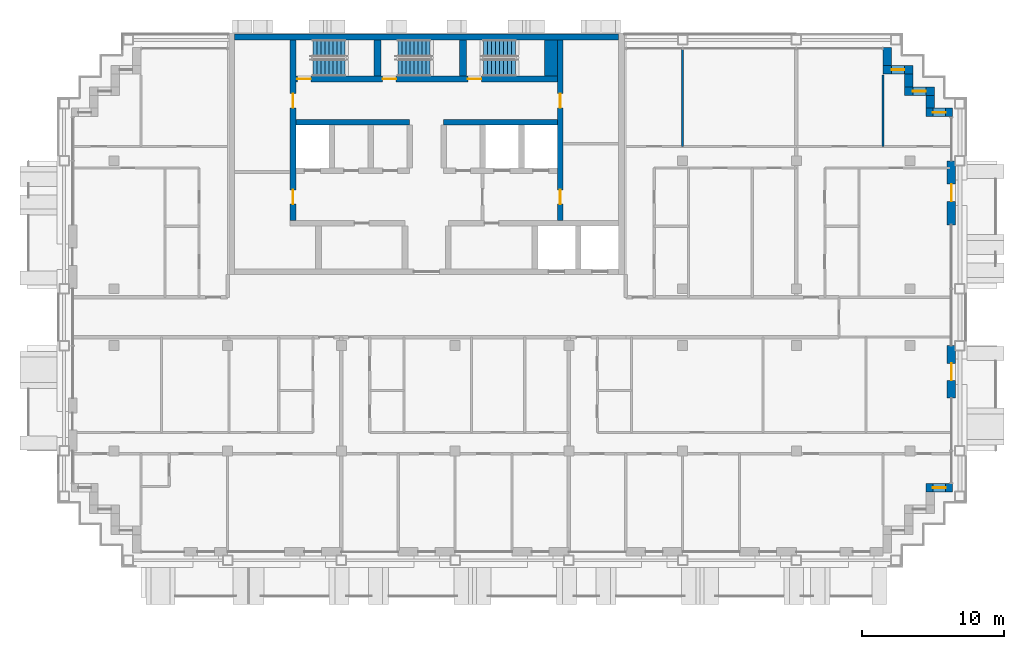
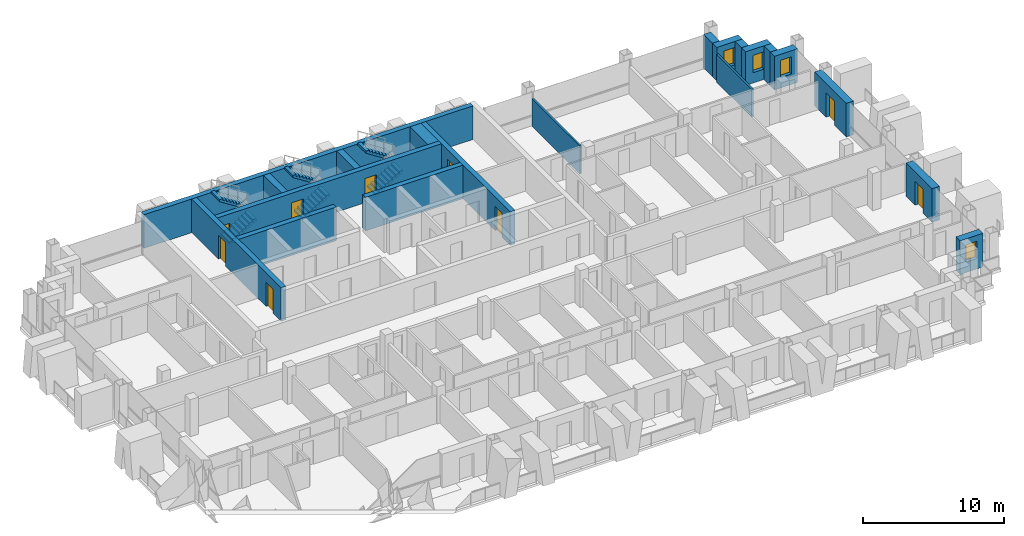
# One storey, part 12 of 16: 20 walls, 9 doors, 6 stair flights, 4 windows, 13 openings, 3 elements without a shape of their own.
"""IFC4 building model written with IfcOpenShell, lengths in metres."""

from ifc_helpers import new_model, si_unit, direction, frame, frame_2d, origin, place, context, subcontext, project, spatial, polyline, rectangle, outline, extrude, material, layer, layer_set, type_object, element, fill, aggregate, save


model = new_model("IFC4")

# Units and contexts
model_context = context("Model", 3, precision=1e-05, world=origin(), true_north=direction((0.0, 1.0)))
body_context = subcontext(model_context, "Body", "Model", "MODEL_VIEW")
ifc_project = project(units=[si_unit("LENGTHUNIT", "METRE"), si_unit("AREAUNIT", "SQUARE_METRE"), si_unit("VOLUMEUNIT", "CUBIC_METRE"), si_unit("PLANEANGLEUNIT", "RADIAN"), si_unit("MASSUNIT", "GRAM", prefix="KILO")], contexts=[model_context])

# Site, building, storey
site_placement = place(None, origin())
site = spatial("IfcSite", under=ifc_project, at=site_placement, CompositionType="ELEMENT")
building_placement = place(site_placement, origin())
building = spatial("IfcBuilding", under=site, at=building_placement, Name="Vidyagriha Tower", CompositionType="ELEMENT")
storey_placement = place(building_placement, frame((0.0, 0.0, 168.5)))
storey = spatial("IfcBuildingStorey", under=building, at=storey_placement, Name="L43", CompositionType="ELEMENT", Elevation=168.5)

# Wall, opening, window
ifc_material_1 = material(Name="Precast concrete C40/50 with brick facing", Category="concrete")
ifc_layer_1 = layer(ifc_material_1, 0.60009765625)
ifc_layer_set_1 = layer_set([ifc_layer_1], Name="Precast concrete C40/50 with brick facing")
wall_type_1 = type_object("IfcWallType", Name="Brick-faced precast wall 600", PredefinedType="STANDARD", material=ifc_layer_set_1)
wall_1_placement = place(storey_placement, frame((36.97998046875, 14.39990234375, 0.0), z_axis=(0.0, 0.0, 1.0), x_axis=(-1.0, 0.0, 0.0)))
wall_1 = element("IfcWall", 1, at=wall_1_placement, inside=storey, type_object=wall_type_1, Name="Stepped corner wall L43 R01", PredefinedType="STANDARD", context=body_context, shape_type="SweptSolid", body=[
    extrude(rectangle(XDim=1.8798828125, YDim=0.60009765625, at=frame_2d((0.93994140625, 0.0))), origin(), (0.0, 0.0, 1.0), 2.919921875),
])
opening_1_placement = place(wall_1_placement, frame((0.489990234375, 0.0, 0.89990234375)))
opening_1 = element("IfcOpeningElement", 2, at=opening_1_placement, cuts=wall_1, Name="Opening WN1", PredefinedType="OPENING", context=body_context, shape_type="SweptSolid", body=[
    extrude(rectangle(XDim=0.89990234375, YDim=1.5, at=frame_2d((0.449951171875, 0.75))), frame((0.0, 0.31005859375, 0.0), z_axis=(0.0, -1.0, 0.0), x_axis=(1.0, 0.0, 0.0)), (0.0, 0.0, 1.0), 0.6201171875),
])
ifc_material_2 = material(Name="Aluminium and glass window", Category="aluminium")
window_type = type_object("IfcWindowType", Name="Reveal window 900x1500", PartitioningType="NOTDEFINED", PredefinedType="WINDOW", material=ifc_material_2)
window_1_placement = place(opening_1_placement, origin())
window_1 = element("IfcWindow", 3, at=window_1_placement, inside=storey, type_object=window_type, Name="Reveal window L43 R01", OverallHeight=1.5, OverallWidth=0.89990234375, PartitioningType="SINGLE_PANEL", PredefinedType="WINDOW", context=body_context, shape_type="SweptSolid", body=[
    extrude(rectangle(XDim=0.89990234375, YDim=1.5, at=frame_2d((0.449951171875, 0.75))), frame((0.0, 0.030029296875, 0.0), z_axis=(0.0, -1.0, 0.0), x_axis=(1.0, 0.0, 0.0)), (0.0, 0.0, 1.0), 0.06005859375),
])
fill(opening_1, window_1)

# Wall
wall_2_placement = place(storey_placement, frame((35.39990234375, 14.699951171875, 0.0), z_axis=(0.0, 0.0, 1.0), x_axis=(0.0, 1.0, 0.0)))
element("IfcWall", 4, at=wall_2_placement, inside=storey, type_object=wall_type_1, Name="Stepped corner wall L43 R02", PredefinedType="STANDARD", context=body_context, shape_type="SweptSolid", body=[
    extrude(rectangle(XDim=0.900146484375, YDim=0.60009765625, at=frame_2d((0.4501953125, 0.0))), origin(), (0.0, 0.0, 1.0), 2.919921875),
])

# Wall, opening, window
wall_3_placement = place(storey_placement, frame((35.699951171875, 15.89990234375, 0.0), z_axis=(0.0, 0.0, 1.0), x_axis=(-1.0, 0.0, 0.0)))
wall_3 = element("IfcWall", 5, at=wall_3_placement, inside=storey, type_object=wall_type_1, Name="Stepped corner wall L43 R03", PredefinedType="STANDARD", context=body_context, shape_type="SweptSolid", body=[
    extrude(rectangle(XDim=2.099853515625, YDim=0.60009765625, at=frame_2d((1.0498046875, 0.0))), origin(), (0.0, 0.0, 1.0), 2.919921875),
])
opening_2_placement = place(wall_3_placement, frame((0.60009765625, 0.0, 0.89990234375)))
opening_2 = element("IfcOpeningElement", 6, at=opening_2_placement, cuts=wall_3, Name="Opening WN1", PredefinedType="OPENING", context=body_context, shape_type="SweptSolid", body=[
    extrude(rectangle(XDim=0.89990234375, YDim=1.5, at=frame_2d((0.449951171875, 0.75))), frame((0.0, 0.31005859375, 0.0), z_axis=(0.0, -1.0, 0.0), x_axis=(1.0, 0.0, 0.0)), (0.0, 0.0, 1.0), 0.6201171875),
])
window_2_placement = place(opening_2_placement, origin())
window_2 = element("IfcWindow", 7, at=window_2_placement, inside=storey, type_object=window_type, Name="Reveal window L43 R03", OverallHeight=1.5, OverallWidth=0.89990234375, PartitioningType="SINGLE_PANEL", PredefinedType="WINDOW", context=body_context, shape_type="SweptSolid", body=[
    extrude(rectangle(XDim=0.89990234375, YDim=1.5, at=frame_2d((0.449951171875, 0.75))), frame((0.0, 0.030029296875, 0.0), z_axis=(0.0, -1.0, 0.0), x_axis=(1.0, 0.0, 0.0)), (0.0, 0.0, 1.0), 0.06005859375),
])
fill(opening_2, window_2)

# Wall
wall_4_placement = place(storey_placement, frame((33.89990234375, 16.199951171875, 0.0), z_axis=(0.0, 0.0, 1.0), x_axis=(0.0, 1.0, 0.0)))
element("IfcWall", 8, at=wall_4_placement, inside=storey, type_object=wall_type_1, Name="Stepped corner wall L43 R04", PredefinedType="STANDARD", context=body_context, shape_type="SweptSolid", body=[
    extrude(rectangle(XDim=0.900146484375, YDim=0.60009765625, at=frame_2d((0.4501953125, 0.0))), origin(), (0.0, 0.0, 1.0), 2.919921875),
])

# Wall, opening, window
wall_5_placement = place(storey_placement, frame((34.199951171875, 17.39990234375, 0.0), z_axis=(0.0, 0.0, 1.0), x_axis=(-1.0, 0.0, 0.0)))
wall_5 = element("IfcWall", 9, at=wall_5_placement, inside=storey, type_object=wall_type_1, Name="Stepped corner wall L43 R05", PredefinedType="STANDARD", context=body_context, shape_type="SweptSolid", body=[
    extrude(rectangle(XDim=2.099853515625, YDim=0.60009765625, at=frame_2d((1.0498046875, 0.0))), origin(), (0.0, 0.0, 1.0), 2.919921875),
])
opening_3_placement = place(wall_5_placement, frame((0.60009765625, 0.0, 0.89990234375)))
opening_3 = element("IfcOpeningElement", 10, at=opening_3_placement, cuts=wall_5, Name="Opening WN1", PredefinedType="OPENING", context=body_context, shape_type="SweptSolid", body=[
    extrude(rectangle(XDim=0.89990234375, YDim=1.5, at=frame_2d((0.449951171875, 0.75))), frame((0.0, 0.31005859375, 0.0), z_axis=(0.0, -1.0, 0.0), x_axis=(1.0, 0.0, 0.0)), (0.0, 0.0, 1.0), 0.6201171875),
])
window_3_placement = place(opening_3_placement, origin())
window_3 = element("IfcWindow", 11, at=window_3_placement, inside=storey, type_object=window_type, Name="Reveal window L43 R05", OverallHeight=1.5, OverallWidth=0.89990234375, PartitioningType="SINGLE_PANEL", PredefinedType="WINDOW", context=body_context, shape_type="SweptSolid", body=[
    extrude(rectangle(XDim=0.89990234375, YDim=1.5, at=frame_2d((0.449951171875, 0.75))), frame((0.0, 0.030029296875, 0.0), z_axis=(0.0, -1.0, 0.0), x_axis=(1.0, 0.0, 0.0)), (0.0, 0.0, 1.0), 0.06005859375),
])
fill(opening_3, window_3)

# Wall
wall_6_placement = place(storey_placement, frame((32.39990234375, 17.699951171875, 0.0), z_axis=(0.0, 0.0, 1.0), x_axis=(0.0, 1.0, 0.0)))
element("IfcWall", 12, at=wall_6_placement, inside=storey, type_object=wall_type_1, Name="Stepped corner wall L43 R06", PredefinedType="STANDARD", context=body_context, shape_type="SweptSolid", body=[
    extrude(rectangle(XDim=1.280029296875, YDim=0.60009765625, at=frame_2d((0.64013671875, 0.0))), origin(), (0.0, 0.0, 1.0), 2.919921875),
])

# Wall, opening, window
wall_7_placement = place(storey_placement, frame((35.10009765625, -12.0, 0.0)))
wall_7 = element("IfcWall", 13, at=wall_7_placement, inside=storey, type_object=wall_type_1, Name="Stepped corner wall L43 R29", PredefinedType="STANDARD", context=body_context, shape_type="SweptSolid", body=[
    extrude(rectangle(XDim=1.8798828125, YDim=0.60009765625, at=frame_2d((0.93994140625, 0.0))), origin(), (0.0, 0.0, 1.0), 2.919921875),
])
opening_4_placement = place(wall_7_placement, frame((0.489990234375, 0.0, 0.89990234375)))
opening_4 = element("IfcOpeningElement", 14, at=opening_4_placement, cuts=wall_7, Name="Opening WN1", PredefinedType="OPENING", context=body_context, shape_type="SweptSolid", body=[
    extrude(rectangle(XDim=0.89990234375, YDim=1.5, at=frame_2d((0.449951171875, 0.75))), frame((0.0, 0.31005859375, 0.0), z_axis=(0.0, -1.0, 0.0), x_axis=(1.0, 0.0, 0.0)), (0.0, 0.0, 1.0), 0.6201171875),
])
window_4_placement = place(opening_4_placement, origin())
window_4 = element("IfcWindow", 15, at=window_4_placement, inside=storey, type_object=window_type, Name="Reveal window L43 R29", OverallHeight=1.5, OverallWidth=0.89990234375, PartitioningType="SINGLE_PANEL", PredefinedType="WINDOW", context=body_context, shape_type="SweptSolid", body=[
    extrude(rectangle(XDim=0.89990234375, YDim=1.5, at=frame_2d((0.449951171875, 0.75))), frame((0.0, 0.030029296875, 0.0), z_axis=(0.0, -1.0, 0.0), x_axis=(1.0, 0.0, 0.0)), (0.0, 0.0, 1.0), 0.06005859375),
])
fill(opening_4, window_4)

# Wall, opening, door
wall_8_placement = place(storey_placement, frame((36.89990234375, -5.699951171875, 0.0), z_axis=(0.0, 0.0, 1.0), x_axis=(0.0, 1.0, 0.0)))
wall_8 = element("IfcWall", 16, at=wall_8_placement, inside=storey, type_object=wall_type_1, Name="Brick door bay wall L43 R30.3", PredefinedType="STANDARD", context=body_context, shape_type="SweptSolid", body=[
    extrude(rectangle(XDim=3.699951171875, YDim=0.60009765625, at=frame_2d((1.85009765625, 0.0))), origin(), (0.0, 0.0, 1.0), 2.919921875),
])
opening_5_placement = place(wall_8_placement, frame((1.25, 0.0, 0.0)))
opening_5 = element("IfcOpeningElement", 17, at=opening_5_placement, cuts=wall_8, Name="Opening D43-75", PredefinedType="OPENING", context=body_context, shape_type="SweptSolid", body=[
    extrude(rectangle(XDim=1.199951171875, YDim=2.10009765625, at=frame_2d((0.60009765625, 1.050048828125))), frame((0.0, 0.31005859375, 0.0), z_axis=(0.0, -1.0, 0.0), x_axis=(1.0, 0.0, 0.0)), (0.0, 0.0, 1.0), 0.6201171875),
])
ifc_material_3 = material(Name="Aluminium framed glazed sliding door", Category="aluminium")
door_type_1 = type_object("IfcDoorType", Name="Balcony sliding door 1200x2100", OperationType="NOTDEFINED", PredefinedType="DOOR", material=ifc_material_3)
door_1_placement = place(opening_5_placement, origin())
door_1 = element("IfcDoor", 18, at=door_1_placement, inside=storey, type_object=door_type_1, Name="Door D43-75", OperationType="SLIDING_TO_LEFT", OverallHeight=2.10009765625, OverallWidth=1.199951171875, PredefinedType="DOOR", context=body_context, shape_type="SweptSolid", body=[
    extrude(rectangle(XDim=1.199951171875, YDim=2.10009765625, at=frame_2d((0.60009765625, 1.050048828125))), frame((0.0, 0.02490234375, 0.0), z_axis=(0.0, -1.0, 0.0), x_axis=(1.0, 0.0, 0.0)), (0.0, 0.0, 1.0), 0.050048828125),
])
fill(opening_5, door_1)

wall_9_placement = place(storey_placement, frame((36.89990234375, 6.5, 0.0), z_axis=(0.0, 0.0, 1.0), x_axis=(0.0, 1.0, 0.0)))
wall_9 = element("IfcWall", 19, at=wall_9_placement, inside=storey, type_object=wall_type_1, Name="Brick door bay wall L43 R30.6", PredefinedType="STANDARD", context=body_context, shape_type="SweptSolid", body=[
    extrude(rectangle(XDim=4.5, YDim=0.60009765625, at=frame_2d((2.25, 0.0))), origin(), (0.0, 0.0, 1.0), 2.919921875),
])
opening_6_placement = place(wall_9_placement, frame((1.64990234375, 0.0, 0.0)))
opening_6 = element("IfcOpeningElement", 20, at=opening_6_placement, cuts=wall_9, Name="Opening D43-76", PredefinedType="OPENING", context=body_context, shape_type="SweptSolid", body=[
    extrude(rectangle(XDim=1.199951171875, YDim=2.10009765625, at=frame_2d((0.60009765625, 1.050048828125))), frame((0.0, 0.31005859375, 0.0), z_axis=(0.0, -1.0, 0.0), x_axis=(1.0, 0.0, 0.0)), (0.0, 0.0, 1.0), 0.6201171875),
])
door_2_placement = place(opening_6_placement, origin())
door_2 = element("IfcDoor", 21, at=door_2_placement, inside=storey, type_object=door_type_1, Name="Door D43-76", OperationType="SLIDING_TO_LEFT", OverallHeight=2.10009765625, OverallWidth=1.199951171875, PredefinedType="DOOR", context=body_context, shape_type="SweptSolid", body=[
    extrude(rectangle(XDim=1.199951171875, YDim=2.10009765625, at=frame_2d((0.60009765625, 1.050048828125))), frame((0.0, 0.02490234375, 0.0), z_axis=(0.0, -1.0, 0.0), x_axis=(1.0, 0.0, 0.0)), (0.0, 0.0, 1.0), 0.050048828125),
])
fill(opening_6, door_2)

# Wall
ifc_material_4 = material(Name="Concrete C60/75", Category="concrete")
ifc_layer_2 = layer(ifc_material_4, 0.39990234375)
ifc_layer_set_2 = layer_set([ifc_layer_2], Name="Concrete C60/75")
wall_type_2 = type_object("IfcWallType", Name="Core shear wall 400 mm", PredefinedType="SHEAR", material=ifc_layer_set_2)
wall_10_placement = place(storey_placement, frame((-13.5, 19.699951171875, 0.0)))
element("IfcWall", 22, at=wall_10_placement, inside=storey, type_object=wall_type_2, Name="Core north wall", PredefinedType="SHEAR", context=body_context, shape_type="SweptSolid", body=[
    extrude(rectangle(XDim=27.0, YDim=0.39990234375, at=frame_2d((13.5, 0.0))), origin(), (0.0, 0.0, 1.0), 2.919921875),
])

# Wall, openings, doors
wall_11_placement = place(storey_placement, frame((-9.39990234375, 6.800048828125, 0.0), z_axis=(0.0, 0.0, 1.0), x_axis=(0.0, 1.0, 0.0)))
wall_11 = element("IfcWall", 23, at=wall_11_placement, inside=storey, type_object=wall_type_2, Name="Core west spine wall", PredefinedType="SHEAR", context=body_context, shape_type="SweptSolid", body=[
    extrude(rectangle(XDim=12.699951171875, YDim=0.39990234375, at=frame_2d((6.35009765625, 0.0))), origin(), (0.0, 0.0, 1.0), 2.919921875),
])
opening_7_placement = place(wall_11_placement, frame((1.14990234375, 0.0, 0.0)))
opening_7 = element("IfcOpeningElement", 24, at=opening_7_placement, cuts=wall_11, Name="Opening D43-11", PredefinedType="OPENING", context=body_context, shape_type="SweptSolid", body=[
    extrude(rectangle(XDim=1.0, YDim=2.10009765625, at=frame_2d((0.5, 1.050048828125))), frame((0.0, 0.2099609375, 0.0), z_axis=(0.0, -1.0, 0.0), x_axis=(1.0, 0.0, 0.0)), (0.0, 0.0, 1.0), 0.419921875),
])
opening_8_placement = place(wall_11_placement, frame((7.925048828125, 0.0, 0.0)))
opening_8 = element("IfcOpeningElement", 25, at=opening_8_placement, cuts=wall_11, Name="Opening D43-12", PredefinedType="OPENING", context=body_context, shape_type="SweptSolid", body=[
    extrude(rectangle(XDim=1.0, YDim=2.10009765625, at=frame_2d((0.5, 1.050048828125))), frame((0.0, 0.2099609375, 0.0), z_axis=(0.0, -1.0, 0.0), x_axis=(1.0, 0.0, 0.0)), (0.0, 0.0, 1.0), 0.419921875),
])
ifc_material_5 = material(Name="Hollow metal door leaf")
door_type_2 = type_object("IfcDoorType", Name="Core room door 1000 x 2100 mm EI 60", OperationType="NOTDEFINED", PredefinedType="DOOR", material=ifc_material_5)
door_3_placement = place(opening_7_placement, frame((1.0, 0.0, 0.0), z_axis=(0.0, 0.0, 1.0), x_axis=(-1.0, 0.0, 0.0)))
door_3 = element("IfcDoor", 26, at=door_3_placement, inside=storey, type_object=door_type_2, Name="Door Electrical Room 43.W1", OperationType="SINGLE_SWING_RIGHT", OverallHeight=2.10009765625, OverallWidth=1.0, PredefinedType="DOOR", context=body_context, shape_type="SweptSolid", body=[
    extrude(rectangle(XDim=1.0, YDim=2.10009765625, at=frame_2d((0.5, 1.050048828125))), frame((0.0, 0.02490234375, 0.0), z_axis=(0.0, -1.0, 0.0), x_axis=(1.0, 0.0, 0.0)), (0.0, 0.0, 1.0), 0.050048828125),
])
fill(opening_7, door_3)
door_4_placement = place(opening_8_placement, frame((1.0, 0.0, 0.0), z_axis=(0.0, 0.0, 1.0), x_axis=(-1.0, 0.0, 0.0)))
door_4 = element("IfcDoor", 27, at=door_4_placement, inside=storey, type_object=door_type_2, Name="Door Refuse Room 43.W2", OperationType="SINGLE_SWING_LEFT", OverallHeight=2.10009765625, OverallWidth=1.0, PredefinedType="DOOR", context=body_context, shape_type="SweptSolid", body=[
    extrude(rectangle(XDim=1.0, YDim=2.10009765625, at=frame_2d((0.5, 1.050048828125))), frame((0.0, 0.02490234375, 0.0), z_axis=(0.0, -1.0, 0.0), x_axis=(1.0, 0.0, 0.0)), (0.0, 0.0, 1.0), 0.050048828125),
])
fill(opening_8, door_4)

wall_12_placement = place(storey_placement, frame((9.39990234375, 6.800048828125, 0.0), z_axis=(0.0, 0.0, 1.0), x_axis=(0.0, 1.0, 0.0)))
wall_12 = element("IfcWall", 28, at=wall_12_placement, inside=storey, type_object=wall_type_2, Name="Core east spine wall", PredefinedType="SHEAR", context=body_context, shape_type="SweptSolid", body=[
    extrude(rectangle(XDim=12.699951171875, YDim=0.39990234375, at=frame_2d((6.35009765625, 0.0))), origin(), (0.0, 0.0, 1.0), 2.919921875),
])
opening_9_placement = place(wall_12_placement, frame((1.14990234375, 0.0, 0.0)))
opening_9 = element("IfcOpeningElement", 29, at=opening_9_placement, cuts=wall_12, Name="Opening D43-13", PredefinedType="OPENING", context=body_context, shape_type="SweptSolid", body=[
    extrude(rectangle(XDim=1.0, YDim=2.10009765625, at=frame_2d((0.5, 1.050048828125))), frame((0.0, 0.2099609375, 0.0), z_axis=(0.0, -1.0, 0.0), x_axis=(1.0, 0.0, 0.0)), (0.0, 0.0, 1.0), 0.419921875),
])
opening_10_placement = place(wall_12_placement, frame((7.925048828125, 0.0, 0.0)))
opening_10 = element("IfcOpeningElement", 30, at=opening_10_placement, cuts=wall_12, Name="Opening D43-14", PredefinedType="OPENING", context=body_context, shape_type="SweptSolid", body=[
    extrude(rectangle(XDim=1.0, YDim=2.10009765625, at=frame_2d((0.5, 1.050048828125))), frame((0.0, 0.2099609375, 0.0), z_axis=(0.0, -1.0, 0.0), x_axis=(1.0, 0.0, 0.0)), (0.0, 0.0, 1.0), 0.419921875),
])
door_5_placement = place(opening_9_placement, origin())
door_5 = element("IfcDoor", 31, at=door_5_placement, inside=storey, type_object=door_type_2, Name="Door Cleaners Store 43.E1", OperationType="SINGLE_SWING_RIGHT", OverallHeight=2.10009765625, OverallWidth=1.0, PredefinedType="DOOR", context=body_context, shape_type="SweptSolid", body=[
    extrude(rectangle(XDim=1.0, YDim=2.10009765625, at=frame_2d((0.5, 1.050048828125))), frame((0.0, 0.02490234375, 0.0), z_axis=(0.0, -1.0, 0.0), x_axis=(1.0, 0.0, 0.0)), (0.0, 0.0, 1.0), 0.050048828125),
])
fill(opening_9, door_5)
door_6_placement = place(opening_10_placement, origin())
door_6 = element("IfcDoor", 32, at=door_6_placement, inside=storey, type_object=door_type_2, Name="Door Pressurisation Plant Room 43.E2", OperationType="SINGLE_SWING_LEFT", OverallHeight=2.10009765625, OverallWidth=1.0, PredefinedType="DOOR", context=body_context, shape_type="SweptSolid", body=[
    extrude(rectangle(XDim=1.0, YDim=2.10009765625, at=frame_2d((0.5, 1.050048828125))), frame((0.0, 0.02490234375, 0.0), z_axis=(0.0, -1.0, 0.0), x_axis=(1.0, 0.0, 0.0)), (0.0, 0.0, 1.0), 0.050048828125),
])
fill(opening_10, door_6)

# Walls
for number, where, name in (
    (33, (-9.199951171875, 13.699951171875, 0.0), "Core row N rear wall"),
    (34, (1.199951171875, 13.699951171875, 0.0), "Core row N rear wall"),
):
    element("IfcWall", number, at=place(storey_placement, frame(where)), inside=storey, type_object=wall_type_2, Name=name, PredefinedType="SHEAR", context=body_context, shape_type="SweptSolid", body=[
        extrude(rectangle(XDim=8.0, YDim=0.39990234375, at=frame_2d((4.0, 0.0))), origin(), (0.0, 0.0, 1.0), 2.919921875),
    ])

# Wall, openings, doors
wall_13_placement = place(storey_placement, frame((-9.199951171875, 16.75, 0.0)))
wall_13 = element("IfcWall", 35, at=wall_13_placement, inside=storey, type_object=wall_type_2, Name="Stair front wall", PredefinedType="SHEAR", context=body_context, shape_type="SweptSolid", body=[
    extrude(rectangle(XDim=18.39990234375, YDim=0.39990234375, at=frame_2d((9.199951171875, 0.0))), origin(), (0.0, 0.0, 1.0), 2.919921875),
])
opening_11_placement = place(wall_13_placement, frame((0.10009765625, 0.0, 0.0)))
opening_11 = element("IfcOpeningElement", 36, at=opening_11_placement, cuts=wall_13, Name="Opening D43-08", PredefinedType="OPENING", context=body_context, shape_type="SweptSolid", body=[
    extrude(rectangle(XDim=0.949951171875, YDim=2.10009765625, at=frame_2d((0.47509765625, 1.050048828125))), frame((0.0, 0.2099609375, 0.0), z_axis=(0.0, -1.0, 0.0), x_axis=(1.0, 0.0, 0.0)), (0.0, 0.0, 1.0), 0.419921875),
])
opening_12_placement = place(wall_13_placement, frame((6.10009765625, 0.0, 0.0)))
opening_12 = element("IfcOpeningElement", 37, at=opening_12_placement, cuts=wall_13, Name="Opening D43-09", PredefinedType="OPENING", context=body_context, shape_type="SweptSolid", body=[
    extrude(rectangle(XDim=0.949951171875, YDim=2.10009765625, at=frame_2d((0.47509765625, 1.050048828125))), frame((0.0, 0.2099609375, 0.0), z_axis=(0.0, -1.0, 0.0), x_axis=(1.0, 0.0, 0.0)), (0.0, 0.0, 1.0), 0.419921875),
])
opening_13_placement = place(wall_13_placement, frame((12.10009765625, 0.0, 0.0)))
opening_13 = element("IfcOpeningElement", 38, at=opening_13_placement, cuts=wall_13, Name="Opening D43-10", PredefinedType="OPENING", context=body_context, shape_type="SweptSolid", body=[
    extrude(rectangle(XDim=0.949951171875, YDim=2.10009765625, at=frame_2d((0.47509765625, 1.050048828125))), frame((0.0, 0.2099609375, 0.0), z_axis=(0.0, -1.0, 0.0), x_axis=(1.0, 0.0, 0.0)), (0.0, 0.0, 1.0), 0.419921875),
])
ifc_material_6 = material(Name="Hollow metal door leaf")
door_type_3 = type_object("IfcDoorType", Name="Exit stair door 950 x 2100 mm EI 90", OperationType="NOTDEFINED", PredefinedType="DOOR", material=ifc_material_6)
door_7_placement = place(opening_11_placement, origin())
door_7 = element("IfcDoor", 39, at=door_7_placement, inside=storey, type_object=door_type_3, Name="Stair door ST1 L43", OperationType="SINGLE_SWING_LEFT", OverallHeight=2.10009765625, OverallWidth=0.949951171875, PredefinedType="DOOR", context=body_context, shape_type="SweptSolid", body=[
    extrude(rectangle(XDim=0.949951171875, YDim=2.10009765625, at=frame_2d((0.47509765625, 1.050048828125))), frame((0.0, 0.02490234375, 0.0), z_axis=(0.0, -1.0, 0.0), x_axis=(1.0, 0.0, 0.0)), (0.0, 0.0, 1.0), 0.050048828125),
])
fill(opening_11, door_7)
door_8_placement = place(opening_12_placement, origin())
door_8 = element("IfcDoor", 40, at=door_8_placement, inside=storey, type_object=door_type_3, Name="Stair door ST2 L43", OperationType="SINGLE_SWING_LEFT", OverallHeight=2.10009765625, OverallWidth=0.949951171875, PredefinedType="DOOR", context=body_context, shape_type="SweptSolid", body=[
    extrude(rectangle(XDim=0.949951171875, YDim=2.10009765625, at=frame_2d((0.47509765625, 1.050048828125))), frame((0.0, 0.02490234375, 0.0), z_axis=(0.0, -1.0, 0.0), x_axis=(1.0, 0.0, 0.0)), (0.0, 0.0, 1.0), 0.050048828125),
])
fill(opening_12, door_8)
door_9_placement = place(opening_13_placement, origin())
door_9 = element("IfcDoor", 41, at=door_9_placement, inside=storey, type_object=door_type_3, Name="Stair door ST3 L43", OperationType="SINGLE_SWING_LEFT", OverallHeight=2.10009765625, OverallWidth=0.949951171875, PredefinedType="DOOR", context=body_context, shape_type="SweptSolid", body=[
    extrude(rectangle(XDim=0.949951171875, YDim=2.10009765625, at=frame_2d((0.47509765625, 1.050048828125))), frame((0.0, 0.02490234375, 0.0), z_axis=(0.0, -1.0, 0.0), x_axis=(1.0, 0.0, 0.0)), (0.0, 0.0, 1.0), 0.050048828125),
])
fill(opening_13, door_9)

# Walls
ifc_material_7 = material(Name="Concrete C60/75", Category="concrete")
ifc_layer_3 = layer(ifc_material_7, 0.5)
ifc_layer_set_3 = layer_set([ifc_layer_3], Name="Concrete C60/75")
wall_type_3 = type_object("IfcWallType", Name="Core shear wall 500 mm", PredefinedType="SHEAR", material=ifc_layer_set_3)
for number, where, z_axis, x_axis, name in (
    (42, (-3.449951171875, 16.949951171875, 0.0), (0.0, 0.0, 1.0), (0.0, 1.0, 0.0), "Stair partition wall 1"),
    (43, (2.550048828125, 16.949951171875, 0.0), (0.0, 0.0, 1.0), (0.0, 1.0, 0.0), "Stair partition wall 2"),
):
    element("IfcWall", number, at=place(storey_placement, frame(where, z_axis=z_axis, x_axis=x_axis)), inside=storey, type_object=wall_type_3, Name=name, PredefinedType="SHEAR", context=body_context, shape_type="SweptSolid", body=[
        extrude(rectangle(XDim=2.550048828125, YDim=0.5, at=frame_2d((1.27490234375, 0.0))), origin(), (0.0, 0.0, 1.0), 2.919921875),
    ])
ifc_material_8 = material(Name="Concrete C60/75", Category="concrete")
ifc_layer_4 = layer(ifc_material_8, 0.89990234375)
ifc_layer_set_4 = layer_set([ifc_layer_4], Name="Concrete C60/75")
wall_type_4 = type_object("IfcWallType", Name="Core shear wall 900 mm", PredefinedType="SHEAR", material=ifc_layer_set_4)
wall_14_placement = place(storey_placement, frame((8.75, 16.949951171875, 0.0), z_axis=(0.0, 0.0, 1.0), x_axis=(0.0, 1.0, 0.0)))
element("IfcWall", 44, at=wall_14_placement, inside=storey, type_object=wall_type_4, Name="Stair end wall", PredefinedType="SHEAR", context=body_context, shape_type="SweptSolid", body=[
    extrude(rectangle(XDim=2.550048828125, YDim=0.89990234375, at=frame_2d((1.27490234375, 0.0))), origin(), (0.0, 0.0, 1.0), 2.919921875),
])
ifc_material_9 = material(Name="Gypsum board partition")
ifc_layer_5 = layer(ifc_material_9, 0.14990234375)
ifc_layer_set_5 = layer_set([ifc_layer_5], Name="Gypsum board partition")
wall_type_5 = type_object("IfcWallType", Name="Gypsum board partition 150", PredefinedType="PARTITIONING", material=ifc_layer_set_5)
wall_15_placement = place(storey_placement, frame((18.0, 18.821044921875, 0.0), z_axis=(0.0, 0.0, 1.0), x_axis=(0.0, -1.0, 0.0)))
element("IfcWall", 45, at=wall_15_placement, inside=storey, type_object=wall_type_5, Name="Wall all-L43-w094", PredefinedType="PARTITIONING", context=body_context, shape_type="SweptSolid", body=[
    extrude(rectangle(XDim=6.821044921875, YDim=0.14990234375, at=frame_2d((3.41064453125, 0.0))), origin(), (0.0, 0.0, 1.0), 2.39990234375),
])
wall_16_placement = place(storey_placement, frame((32.10009765625, 17.02001953125, 0.0), z_axis=(0.0, 0.0, 1.0), x_axis=(0.0, -1.0, 0.0)))
element("IfcWall", 46, at=wall_16_placement, inside=storey, type_object=wall_type_5, Name="Wall all-L43-w106", PredefinedType="PARTITIONING", context=body_context, shape_type="SweptSolid", body=[
    extrude(rectangle(XDim=5.02001953125, YDim=0.14990234375, at=frame_2d((2.510009765625, 0.0))), origin(), (0.0, 0.0, 1.0), 2.39990234375),
])

# Stair, stair flights
ifc_material_10 = material(Name="Concrete C40/50", Category="concrete")
stair_type = type_object("IfcStairType", Name="Exit stair, half-turn, precast flights", PredefinedType="HALF_TURN_STAIR", material=ifc_material_10)
stair_1_placement = place(storey_placement, origin())
stair_1 = element("IfcStair", 47, at=stair_1_placement, inside=storey, type_object=stair_type, Name="L43 Exit Stair ST1", PredefinedType="HALF_TURN_STAIR")
ifc_material_11 = material(Name="Precast concrete C40/50", Category="concrete")
stair_flight_type = type_object("IfcStairFlightType", Name="Exit stair flight 1200 mm, precast", PredefinedType="STRAIGHT", material=ifc_material_11)
stair_flight_1_placement = place(storey_placement, frame((-8.0, 17.550048828125, 0.0)))
stair_flight_1 = element("IfcStairFlight", 48, at=stair_flight_1_placement, type_object=stair_flight_type, Name="ST1 flight 1", NumberOfRisers=9, NumberOfTreads=8, PredefinedType="STRAIGHT", RiserHeight=0.177777778, TreadLength=0.28, context=body_context, shape_type="SweptSolid", body=[
    extrude(outline(polyline([(0.0, 0.0), (0.0, 0.177734375), (0.280029296875, 0.177734375), (0.280029296875, 0.35546875), (0.56005859375, 0.35546875), (0.56005859375, 0.533447265625), (0.840087890625, 0.533447265625), (0.840087890625, 0.711181640625), (1.1201171875, 0.711181640625), (1.1201171875, 0.888916015625), (1.39990234375, 0.888916015625), (1.39990234375, 1.066650390625), (1.679931640625, 1.066650390625), (1.679931640625, 1.244384765625), (1.9599609375, 1.244384765625), (1.9599609375, 1.422119140625), (2.239990234375, 1.422119140625), (2.239990234375, 1.60009765625), (2.239990234375, 1.24462890625), (0.27978515625, 0.0), (0.0, 0.0)])), frame((0.0, 0.60009765625, 0.0), z_axis=(0.0, -1.0, 0.0), x_axis=(1.0, 0.0, 0.0)), (0.0, 0.0, 1.0), 1.199951171875),
])
stair_flight_2_placement = place(storey_placement, frame((-5.760009765625, 18.89990234375, 1.60009765625), z_axis=(0.0, 0.0, 1.0), x_axis=(-1.0, 0.0, 0.0)))
stair_flight_2 = element("IfcStairFlight", 49, at=stair_flight_2_placement, type_object=stair_flight_type, Name="ST1 flight 2", NumberOfRisers=9, NumberOfTreads=8, PredefinedType="STRAIGHT", RiserHeight=0.177777778, TreadLength=0.28, context=body_context, shape_type="SweptSolid", body=[
    extrude(outline(polyline([(0.0, 0.0), (0.0, 0.177734375), (0.280029296875, 0.177734375), (0.280029296875, 0.35546875), (0.56005859375, 0.35546875), (0.56005859375, 0.533447265625), (0.840087890625, 0.533447265625), (0.840087890625, 0.711181640625), (1.1201171875, 0.711181640625), (1.1201171875, 0.888916015625), (1.39990234375, 0.888916015625), (1.39990234375, 1.066650390625), (1.679931640625, 1.066650390625), (1.679931640625, 1.244384765625), (1.9599609375, 1.244384765625), (1.9599609375, 1.422119140625), (2.239990234375, 1.422119140625), (2.239990234375, 1.60009765625), (2.239990234375, 1.24462890625), (0.27978515625, 0.0), (0.0, 0.0)])), frame((0.0, 0.60009765625, 0.0), z_axis=(0.0, -1.0, 0.0), x_axis=(1.0, 0.0, 0.0)), (0.0, 0.0, 1.0), 1.199951171875),
])
aggregate(stair_1, [stair_flight_1, stair_flight_2])

stair_2_placement = place(storey_placement, origin())
stair_2 = element("IfcStair", 50, at=stair_2_placement, inside=storey, type_object=stair_type, Name="L43 Exit Stair ST2", PredefinedType="HALF_TURN_STAIR")
stair_flight_3_placement = place(storey_placement, frame((-2.0, 17.550048828125, 0.0)))
stair_flight_3 = element("IfcStairFlight", 51, at=stair_flight_3_placement, type_object=stair_flight_type, Name="ST2 flight 1", NumberOfRisers=9, NumberOfTreads=8, PredefinedType="STRAIGHT", RiserHeight=0.177777778, TreadLength=0.28, context=body_context, shape_type="SweptSolid", body=[
    extrude(outline(polyline([(0.0, 0.0), (0.0, 0.177734375), (0.280029296875, 0.177734375), (0.280029296875, 0.35546875), (0.56005859375, 0.35546875), (0.56005859375, 0.533447265625), (0.840087890625, 0.533447265625), (0.840087890625, 0.711181640625), (1.1201171875, 0.711181640625), (1.1201171875, 0.888916015625), (1.39990234375, 0.888916015625), (1.39990234375, 1.066650390625), (1.679931640625, 1.066650390625), (1.679931640625, 1.244384765625), (1.9599609375, 1.244384765625), (1.9599609375, 1.422119140625), (2.239990234375, 1.422119140625), (2.239990234375, 1.60009765625), (2.239990234375, 1.24462890625), (0.27978515625, 0.0), (0.0, 0.0)])), frame((0.0, 0.60009765625, 0.0), z_axis=(0.0, -1.0, 0.0), x_axis=(1.0, 0.0, 0.0)), (0.0, 0.0, 1.0), 1.199951171875),
])
stair_flight_4_placement = place(storey_placement, frame((0.239990234375, 18.89990234375, 1.60009765625), z_axis=(0.0, 0.0, 1.0), x_axis=(-1.0, 0.0, 0.0)))
stair_flight_4 = element("IfcStairFlight", 52, at=stair_flight_4_placement, type_object=stair_flight_type, Name="ST2 flight 2", NumberOfRisers=9, NumberOfTreads=8, PredefinedType="STRAIGHT", RiserHeight=0.177777778, TreadLength=0.28, context=body_context, shape_type="SweptSolid", body=[
    extrude(outline(polyline([(0.0, 0.0), (0.0, 0.177734375), (0.280029296875, 0.177734375), (0.280029296875, 0.35546875), (0.56005859375, 0.35546875), (0.56005859375, 0.533447265625), (0.840087890625, 0.533447265625), (0.840087890625, 0.711181640625), (1.1201171875, 0.711181640625), (1.1201171875, 0.888916015625), (1.39990234375, 0.888916015625), (1.39990234375, 1.066650390625), (1.679931640625, 1.066650390625), (1.679931640625, 1.244384765625), (1.9599609375, 1.244384765625), (1.9599609375, 1.422119140625), (2.239990234375, 1.422119140625), (2.239990234375, 1.60009765625), (2.239990234375, 1.24462890625), (0.27978515625, 0.0), (0.0, 0.0)])), frame((0.0, 0.60009765625, 0.0), z_axis=(0.0, -1.0, 0.0), x_axis=(1.0, 0.0, 0.0)), (0.0, 0.0, 1.0), 1.199951171875),
])
aggregate(stair_2, [stair_flight_3, stair_flight_4])

stair_3_placement = place(storey_placement, origin())
stair_3 = element("IfcStair", 53, at=stair_3_placement, inside=storey, type_object=stair_type, Name="L43 Exit Stair ST3", PredefinedType="HALF_TURN_STAIR")
stair_flight_5_placement = place(storey_placement, frame((4.0, 17.550048828125, 0.0)))
stair_flight_5 = element("IfcStairFlight", 54, at=stair_flight_5_placement, type_object=stair_flight_type, Name="ST3 flight 1", NumberOfRisers=9, NumberOfTreads=8, PredefinedType="STRAIGHT", RiserHeight=0.177777778, TreadLength=0.28, context=body_context, shape_type="SweptSolid", body=[
    extrude(outline(polyline([(0.0, 0.0), (0.0, 0.177734375), (0.280029296875, 0.177734375), (0.280029296875, 0.35546875), (0.56005859375, 0.35546875), (0.56005859375, 0.533447265625), (0.840087890625, 0.533447265625), (0.840087890625, 0.711181640625), (1.1201171875, 0.711181640625), (1.1201171875, 0.888916015625), (1.39990234375, 0.888916015625), (1.39990234375, 1.066650390625), (1.679931640625, 1.066650390625), (1.679931640625, 1.244384765625), (1.9599609375, 1.244384765625), (1.9599609375, 1.422119140625), (2.239990234375, 1.422119140625), (2.239990234375, 1.60009765625), (2.239990234375, 1.24462890625), (0.27978515625, 0.0), (0.0, 0.0)])), frame((0.0, 0.60009765625, 0.0), z_axis=(0.0, -1.0, 0.0), x_axis=(1.0, 0.0, 0.0)), (0.0, 0.0, 1.0), 1.199951171875),
])
stair_flight_6_placement = place(storey_placement, frame((6.239990234375, 18.89990234375, 1.60009765625), z_axis=(0.0, 0.0, 1.0), x_axis=(-1.0, 0.0, 0.0)))
stair_flight_6 = element("IfcStairFlight", 55, at=stair_flight_6_placement, type_object=stair_flight_type, Name="ST3 flight 2", NumberOfRisers=9, NumberOfTreads=8, PredefinedType="STRAIGHT", RiserHeight=0.177777778, TreadLength=0.28, context=body_context, shape_type="SweptSolid", body=[
    extrude(outline(polyline([(0.0, 0.0), (0.0, 0.177734375), (0.280029296875, 0.177734375), (0.280029296875, 0.35546875), (0.56005859375, 0.35546875), (0.56005859375, 0.533447265625), (0.840087890625, 0.533447265625), (0.840087890625, 0.711181640625), (1.1201171875, 0.711181640625), (1.1201171875, 0.888916015625), (1.39990234375, 0.888916015625), (1.39990234375, 1.066650390625), (1.679931640625, 1.066650390625), (1.679931640625, 1.244384765625), (1.9599609375, 1.244384765625), (1.9599609375, 1.422119140625), (2.239990234375, 1.422119140625), (2.239990234375, 1.60009765625), (2.239990234375, 1.24462890625), (0.27978515625, 0.0), (0.0, 0.0)])), frame((0.0, 0.60009765625, 0.0), z_axis=(0.0, -1.0, 0.0), x_axis=(1.0, 0.0, 0.0)), (0.0, 0.0, 1.0), 1.199951171875),
])
aggregate(stair_3, [stair_flight_5, stair_flight_6])

save(model, "model.ifc")
